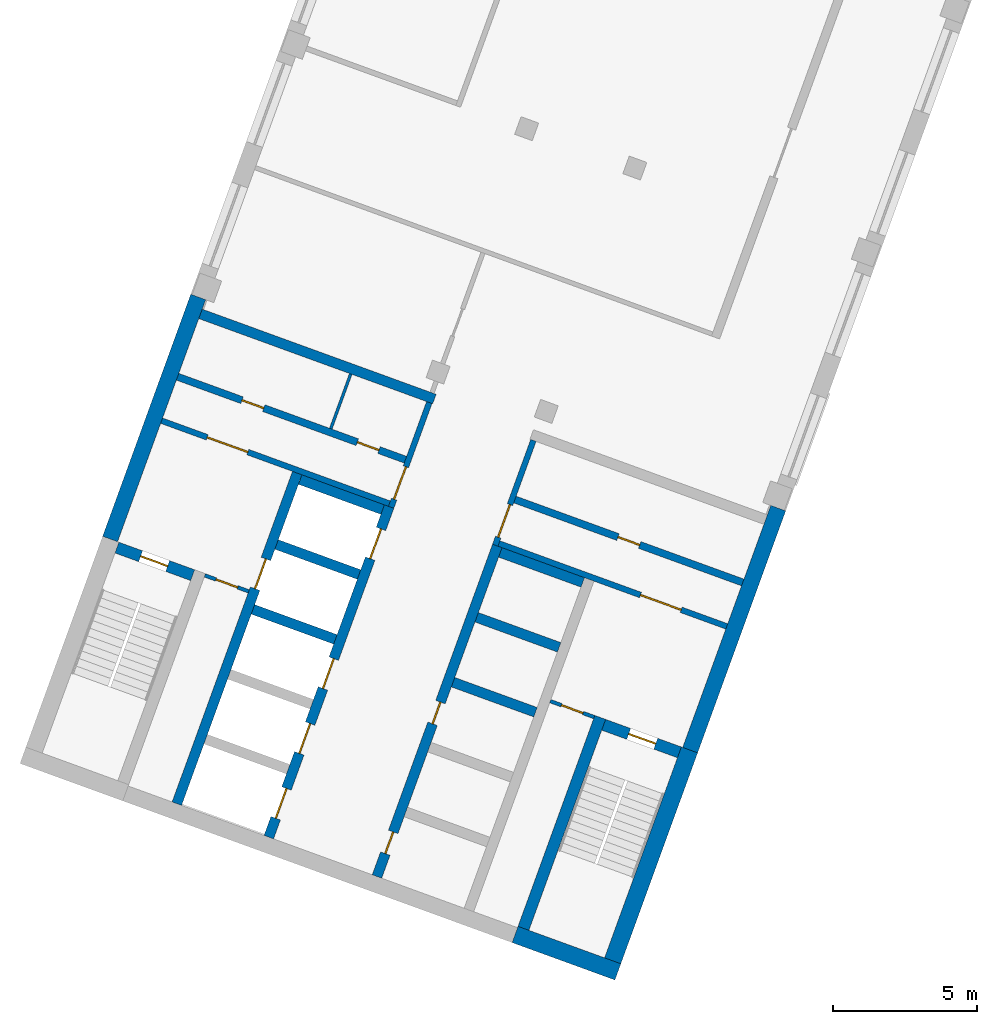
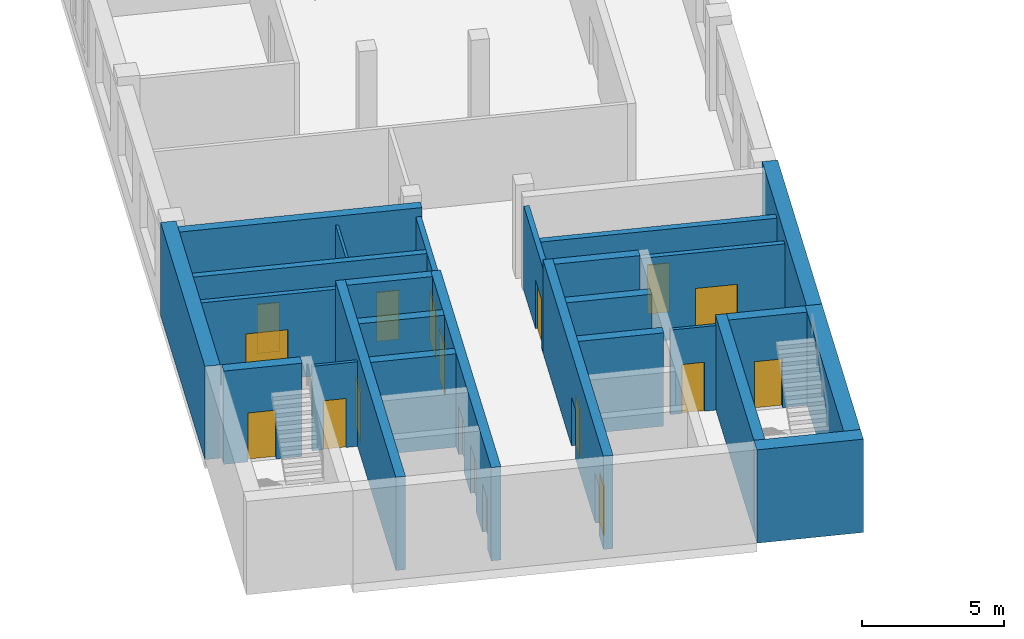
# One storey, part 2 of 8: 26 walls, 18 doors, 18 openings.
"""IFC4 building model written with IfcOpenShell, lengths in metres."""

import ifcopenshell
import ifcopenshell.guid

model = None  # the IFC model being written
_history = None  # IfcOwnerHistory: only IFC2X3 demands one
_inside = {}  # id of a spatial element -> (the spatial element, [elements in it])
_under = {}  # id of a project, library or spatial element -> (it, [spatial elements below it])
_declared = {}  # id of a project -> (the project, [libraries it declares])
_typed = {}  # id of a type object -> (the type object, [elements of that type])
_made_of = {}  # id of a material, layer set ... -> (it, [elements and type objects made of it])


def new_model(schema):
    """Start an empty IFC model of exactly this schema.

    Asked for "IFC4X3", IfcOpenShell would pick the latest addendum, in which some entities
    have other attributes; the version numbers below select the first issue.
    IFC2X3 requires an IfcOwnerHistory on every rooted entity: one is made here for all.
    """
    global model, _history
    if schema == "IFC4X3":
        model = ifcopenshell.file(schema_version=(4, 3, 0, 0))
    else:
        model = ifcopenshell.file(schema=schema)
    _inside.clear()
    _under.clear()
    _declared.clear()
    _typed.clear()
    _made_of.clear()
    _history = None
    if model.schema == "IFC2X3":
        org = make("IfcOrganization", Name="unknown")
        user = make(
            "IfcPersonAndOrganization",
            ThePerson=make("IfcPerson", FamilyName="unknown"),
            TheOrganization=org,
        )
        app = make(
            "IfcApplication",
            ApplicationDeveloper=org,
            Version="unknown",
            ApplicationFullName="unknown",
            ApplicationIdentifier="unknown",
        )
        _history = make(
            "IfcOwnerHistory",
            OwningUser=user,
            OwningApplication=app,
            ChangeAction="ADDED",
            CreationDate=0,
        )
    return model


def make(cls, **values):
    """One entity of the class cls with the attributes given. An attribute that is None is left unset."""
    return model.create_entity(
        cls, **{name: value for name, value in values.items() if value is not None}
    )


def rooted(cls, **values):
    """An entity with a GlobalId (a new one), such as an element, a storey or a relation."""
    return make(cls, GlobalId=ifcopenshell.guid.new(), OwnerHistory=_history, **values)


def si_unit(unit_type, name, prefix=None):
    """IfcSIUnit, for example si_unit("LENGTHUNIT", "METRE", prefix="MILLI")."""
    return make("IfcSIUnit", UnitType=unit_type, Prefix=prefix, Name=name)


def assignment(units):
    """IfcUnitAssignment: the units of a project."""
    return None if units is None else make("IfcUnitAssignment", Units=units)


def point(xyz):
    """IfcCartesianPoint."""
    return None if xyz is None else make("IfcCartesianPoint", Coordinates=xyz)


def direction(xyz):
    """IfcDirection."""
    return None if xyz is None else make("IfcDirection", DirectionRatios=xyz)


def frame(location, z_axis=None, x_axis=None):
    """IfcAxis2Placement3D, a coordinate frame: its origin and axes. An axis left out is left unset."""
    return make(
        "IfcAxis2Placement3D",
        Location=point(location),
        Axis=direction(z_axis),
        RefDirection=direction(x_axis),
    )


def frame_2d(location, x_axis=None):
    """IfcAxis2Placement2D, a coordinate frame in the plane: its origin and x axis."""
    return make(
        "IfcAxis2Placement2D", Location=point(location), RefDirection=direction(x_axis)
    )


def origin():
    """The frame at (0, 0, 0) with its axes left unset."""
    return frame((0.0, 0.0, 0.0))


def place(relative_to, where):
    """IfcLocalPlacement: puts the frame where relative to a parent placement (None: the world)."""
    return make(
        "IfcLocalPlacement", PlacementRelTo=relative_to, RelativePlacement=where
    )


def context(
    kind, dimensions, precision=None, world=None, true_north=None, identifier=None
):
    """IfcGeometricRepresentationContext, for example the 3D "Model" context."""
    return make(
        "IfcGeometricRepresentationContext",
        ContextIdentifier=identifier,
        ContextType=kind,
        CoordinateSpaceDimension=dimensions,
        Precision=precision,
        WorldCoordinateSystem=world,
        TrueNorth=true_north,
    )


def subcontext(parent, identifier, kind, view, scale=None):
    """IfcGeometricRepresentationSubContext, for example "Body" below "Model"."""
    return make(
        "IfcGeometricRepresentationSubContext",
        ContextIdentifier=identifier,
        ContextType=kind,
        ParentContext=parent,
        TargetScale=scale,
        TargetView=view,
    )


def project(units=None, contexts=None):
    """IfcProject with its units and contexts."""
    return rooted(
        "IfcProject",
        Name="project",
        RepresentationContexts=contexts,
        UnitsInContext=assignment(units),
    )


def spatial(cls, under=None, at=None, **own):
    """A site, building, storey or space (cls), placed at a placement, below another one or the project."""
    s = rooted(cls, ObjectPlacement=at, **own)
    if under is not None:
        _under.setdefault(under.id(), (under, []))[1].append(s)
    return s


def profile(cls, at=None, kind="AREA", **sizes):
    """A parametric profile (cls). Its sizes go by their IFC names, for example OverallWidth=200.0."""
    return make(cls, ProfileType=kind, Position=at, **sizes)


def rectangle(**sizes):
    """IfcRectangleProfileDef."""
    return profile("IfcRectangleProfileDef", **sizes)


def extrude(swept, where, along, depth):
    """IfcExtrudedAreaSolid: the profile swept, set in the frame where, extruded along a direction by depth."""
    return make(
        "IfcExtrudedAreaSolid",
        SweptArea=swept,
        Position=where,
        ExtrudedDirection=direction(along),
        Depth=depth,
    )


def shape(context_of_items, identifier, shape_type, items):
    """IfcShapeRepresentation: the items that make up one representation, for example the "Body"."""
    return make(
        "IfcShapeRepresentation",
        ContextOfItems=context_of_items,
        RepresentationIdentifier=identifier,
        RepresentationType=shape_type,
        Items=items,
    )


def material(Name=None, Category=None):
    """IfcMaterial."""
    return make("IfcMaterial", Name=Name, Category=Category)


def layer(
    of_material, thickness, ventilated=None, Name=None, Category=None, Priority=None
):
    """IfcMaterialLayer: one layer of a wall or slab, of a material (None: an air gap)."""
    return make(
        "IfcMaterialLayer",
        Material=of_material,
        LayerThickness=thickness,
        IsVentilated=ventilated,
        Name=Name,
        Category=Category,
        Priority=Priority,
    )


def layer_set(layers, Name=None):
    """IfcMaterialLayerSet."""
    return make("IfcMaterialLayerSet", MaterialLayers=layers, LayerSetName=Name)


def made_of(thing, what):
    """Note that an element or type object is made of a material, layer set ...; save() writes the relation."""
    if what is not None:
        _made_of.setdefault(what.id(), (what, []))[1].append(thing)
    return thing


def type_object(cls, material=None, **own):
    """A type object (cls), such as IfcWallType, which elements share."""
    return made_of(rooted(cls, **own), material)


def element(
    cls,
    number,
    at=None,
    inside=None,
    cuts=None,
    type_object=None,
    material=None,
    context=None,
    identifier="Body",
    shape_type=None,
    held_by="IfcProductDefinitionShape",
    body=None,
    shapes=None,
    **own,
):
    """One element of the class cls, such as IfcWall. Its Tag is "e" and its number.

    at: its placement. inside: the storey or other place that contains it. cuts: it is an
    opening in that element (IfcRelVoidsElement). A single representation is given by context,
    identifier, shape_type and body (its items); several are given by shapes. held_by: the class
    of the entity that holds the representations. save() writes the other relations.
    """
    e = rooted(cls, Tag="e%d" % number, ObjectPlacement=at, **own)
    if body is not None:
        shapes = [shape(context, identifier, shape_type, body)]
    if shapes is not None:
        e.Representation = make(held_by, Representations=shapes)
    if inside is not None:
        _inside.setdefault(inside.id(), (inside, []))[1].append(e)
    if cuts is not None:
        rooted(
            "IfcRelVoidsElement", RelatingBuildingElement=cuts, RelatedOpeningElement=e
        )
    if type_object is not None:
        _typed.setdefault(type_object.id(), (type_object, []))[1].append(e)
    return made_of(e, material)


def fill(opening, filler):
    """IfcRelFillsElement: the door or window that sits in an opening."""
    return rooted(
        "IfcRelFillsElement",
        RelatingOpeningElement=opening,
        RelatedBuildingElement=filler,
    )


def aggregate(whole, parts):
    """IfcRelAggregates: a whole, such as a stair, and the parts it consists of."""
    return rooted("IfcRelAggregates", RelatingObject=whole, RelatedObjects=parts)


def save(model, path):
    """Write the relations noted so far, then the file.

    IfcRelAggregates (storeys below a building ...), IfcRelContainedInSpatialStructure (elements
    in a storey), IfcRelDefinesByType, IfcRelAssociatesMaterial and IfcRelDeclares: one each for
    every whole, place, type object, material and project.
    """
    for whole, parts in _under.values():
        aggregate(whole, parts)
    for where, things in _inside.values():
        rooted(
            "IfcRelContainedInSpatialStructure",
            RelatedElements=things,
            RelatingStructure=where,
        )
    for kind, things in _typed.values():
        rooted("IfcRelDefinesByType", RelatedObjects=things, RelatingType=kind)
    for what, things in _made_of.values():
        rooted("IfcRelAssociatesMaterial", RelatedObjects=things, RelatingMaterial=what)
    for by, libraries in _declared.values():
        rooted("IfcRelDeclares", RelatingContext=by, RelatedDefinitions=libraries)
    model.write(path)


model = new_model("IFC4")

# Units and contexts
model_context = context("Model", 3, precision=1e-05, world=origin(), true_north=direction((0.0, 1.0)))
body_context = subcontext(model_context, "Body", "Model", "MODEL_VIEW")
ifc_project = project(units=[si_unit("LENGTHUNIT", "METRE"), si_unit("AREAUNIT", "SQUARE_METRE"), si_unit("VOLUMEUNIT", "CUBIC_METRE"), si_unit("PLANEANGLEUNIT", "RADIAN"), si_unit("MASSUNIT", "GRAM", prefix="KILO")], contexts=[model_context])

# Site, building, storey
site_placement = place(None, origin())
site = spatial("IfcSite", under=ifc_project, at=site_placement, CompositionType="ELEMENT")
building_placement = place(site_placement, origin())
building = spatial("IfcBuilding", under=site, at=building_placement, Name="Skarvind Civic Tower", CompositionType="ELEMENT")
storey_placement = place(building_placement, frame((0.0, 0.0, 134.5)))
storey = spatial("IfcBuildingStorey", under=building, at=storey_placement, Name="L31", CompositionType="ELEMENT", Elevation=134.5)

# Wall, opening, door
ifc_material_1 = material(Name="Fire-rated masonry partition", Category="masonry")
ifc_layer_1 = layer(ifc_material_1, 0.199951171875)
ifc_layer_set_1 = layer_set([ifc_layer_1], Name="Core enclosure wall 200")
wall_type_1 = type_object("IfcWallType", Name="Core enclosure wall 200", PredefinedType="PARTITIONING", material=ifc_layer_set_1)
wall_1_placement = place(storey_placement, frame((31.45947265625, 93.67822265625, 0.0), z_axis=(0.0, 0.0, 1.0), x_axis=(0.341985870128, 0.939705094502, 0.0)))
wall_1 = element("IfcWall", 1, at=wall_1_placement, inside=storey, type_object=wall_type_1, Name="Core wall C2", PredefinedType="PARTITIONING", context=body_context, shape_type="SweptSolid", body=[
    extrude(rectangle(XDim=3.875, YDim=0.199951171875, at=frame_2d((1.9375, 0.0))), origin(), (0.0, 0.0, 1.0), 3.625),
])
opening_1_placement = place(wall_1_placement, frame((0.300048828125, 0.0, 0.0)))
opening_1 = element("IfcOpeningElement", 2, at=opening_1_placement, cuts=wall_1, Name="Opening D-L31-C2-07", PredefinedType="OPENING", context=body_context, shape_type="SweptSolid", body=[
    extrude(rectangle(XDim=1.199951171875, YDim=2.10009765625, at=frame_2d((0.60009765625, 1.050048828125))), frame((0.0, 0.10986328125, 0.0), z_axis=(0.0, -1.0, 0.0), x_axis=(1.0, 0.0, 0.0)), (0.0, 0.0, 1.0), 0.219970703125),
])
ifc_material_2 = material(Name="Fire-rated steel door", Category="steel")
door_type_1 = type_object("IfcDoorType", Name="Core lobby door 1200", OperationType="NOTDEFINED", PredefinedType="DOOR", material=ifc_material_2)
door_1_placement = place(opening_1_placement, origin())
door_1 = element("IfcDoor", 3, at=door_1_placement, inside=storey, type_object=door_type_1, Name="Fire door", OperationType="DOUBLE_DOOR_SINGLE_SWING", OverallHeight=2.10009765625, OverallWidth=1.199951171875, PredefinedType="DOOR", context=body_context, shape_type="SweptSolid", body=[
    extrude(rectangle(XDim=1.199951171875, YDim=2.10009765625, at=frame_2d((0.60009765625, 1.050048828125))), frame((0.0, 0.02490234375, 0.0), z_axis=(0.0, -1.0, 0.0), x_axis=(1.0, 0.0, 0.0)), (0.0, 0.0, 1.0), 0.050048828125),
])
fill(opening_1, door_1)

wall_2_placement = place(storey_placement, frame((23.482666015625, 96.68798828125, 0.0), z_axis=(0.0, 0.0, 1.0), x_axis=(0.939691007314, -0.342024576271, 0.0)))
wall_2 = element("IfcWall", 4, at=wall_2_placement, inside=storey, type_object=wall_type_1, Name="Core wall C2", PredefinedType="PARTITIONING", context=body_context, shape_type="SweptSolid", body=[
    extrude(rectangle(XDim=8.425048828125, YDim=0.199951171875, at=frame_2d((4.21240234375, 0.0))), origin(), (0.0, 0.0, 1.0), 3.625),
])
opening_2_placement = place(wall_2_placement, frame((1.6875, 0.0, 0.0)))
opening_2 = element("IfcOpeningElement", 5, at=opening_2_placement, cuts=wall_2, Name="Opening D-L31-C2-08", PredefinedType="OPENING", context=body_context, shape_type="SweptSolid", body=[
    extrude(rectangle(XDim=1.5, YDim=2.10009765625, at=frame_2d((0.75, 1.050048828125))), frame((0.0, 0.10986328125, 0.0), z_axis=(0.0, -1.0, 0.0), x_axis=(1.0, 0.0, 0.0)), (0.0, 0.0, 1.0), 0.219970703125),
])
door_type_2 = type_object("IfcDoorType", Name="Fire door 1500", OperationType="NOTDEFINED", PredefinedType="DOOR", material=ifc_material_2)
door_2_placement = place(opening_2_placement, origin())
door_2 = element("IfcDoor", 6, at=door_2_placement, inside=storey, type_object=door_type_2, Name="Fire door", OperationType="DOUBLE_DOOR_SINGLE_SWING", OverallHeight=2.10009765625, OverallWidth=1.5, PredefinedType="DOOR", context=body_context, shape_type="SweptSolid", body=[
    extrude(rectangle(XDim=1.5, YDim=2.10009765625, at=frame_2d((0.75, 1.050048828125))), frame((0.0, 0.02490234375, 0.0), z_axis=(0.0, -1.0, 0.0), x_axis=(1.0, 0.0, 0.0)), (0.0, 0.0, 1.0), 0.050048828125),
])
fill(opening_2, door_2)

wall_3_placement = place(storey_placement, frame((36.402587890625, 96.0029296875, 0.0), z_axis=(0.0, 0.0, 1.0), x_axis=(-0.342041503764, -0.939684845947, 0.0)))
wall_3 = element("IfcWall", 7, at=wall_3_placement, inside=storey, type_object=wall_type_1, Name="Core wall C2", PredefinedType="PARTITIONING", context=body_context, shape_type="SweptSolid", body=[
    extrude(rectangle(XDim=3.875, YDim=0.199951171875, at=frame_2d((1.9375, 0.0))), origin(), (0.0, 0.0, 1.0), 3.625),
])
opening_3_placement = place(wall_3_placement, frame((2.375, 0.0, 0.0)))
opening_3 = element("IfcOpeningElement", 8, at=opening_3_placement, cuts=wall_3, Name="Opening D-L31-C2-13", PredefinedType="OPENING", context=body_context, shape_type="SweptSolid", body=[
    extrude(rectangle(XDim=1.199951171875, YDim=2.10009765625, at=frame_2d((0.60009765625, 1.050048828125))), frame((0.0, 0.10986328125, 0.0), z_axis=(0.0, -1.0, 0.0), x_axis=(1.0, 0.0, 0.0)), (0.0, 0.0, 1.0), 0.219970703125),
])
door_3_placement = place(opening_3_placement, origin())
door_3 = element("IfcDoor", 9, at=door_3_placement, inside=storey, type_object=door_type_1, Name="Fire door", OperationType="DOUBLE_DOOR_SINGLE_SWING", OverallHeight=2.10009765625, OverallWidth=1.199951171875, PredefinedType="DOOR", context=body_context, shape_type="SweptSolid", body=[
    extrude(rectangle(XDim=1.199951171875, YDim=2.10009765625, at=frame_2d((0.60009765625, 1.050048828125))), frame((0.0, 0.02490234375, 0.0), z_axis=(0.0, -1.0, 0.0), x_axis=(1.0, 0.0, 0.0)), (0.0, 0.0, 1.0), 0.050048828125),
])
fill(opening_3, door_3)

wall_4_placement = place(storey_placement, frame((35.205322265625, 92.42138671875, 0.0), z_axis=(0.0, 0.0, 1.0), x_axis=(0.939691007314, -0.342024576271, 0.0)))
wall_4 = element("IfcWall", 10, at=wall_4_placement, inside=storey, type_object=wall_type_1, Name="Core wall C2", PredefinedType="PARTITIONING", context=body_context, shape_type="SweptSolid", body=[
    extrude(rectangle(XDim=8.425048828125, YDim=0.199951171875, at=frame_2d((4.21240234375, 0.0))), origin(), (0.0, 0.0, 1.0), 3.625),
])
opening_4_placement = place(wall_4_placement, frame((5.237548828125, 0.0, 0.0)))
opening_4 = element("IfcOpeningElement", 11, at=opening_4_placement, cuts=wall_4, Name="Opening D-L31-C2-14", PredefinedType="OPENING", context=body_context, shape_type="SweptSolid", body=[
    extrude(rectangle(XDim=1.5, YDim=2.10009765625, at=frame_2d((0.75, 1.050048828125))), frame((0.0, 0.10986328125, 0.0), z_axis=(0.0, -1.0, 0.0), x_axis=(1.0, 0.0, 0.0)), (0.0, 0.0, 1.0), 0.219970703125),
])
door_4_placement = place(opening_4_placement, origin())
door_4 = element("IfcDoor", 12, at=door_4_placement, inside=storey, type_object=door_type_2, Name="Fire door", OperationType="DOUBLE_DOOR_SINGLE_SWING", OverallHeight=2.10009765625, OverallWidth=1.5, PredefinedType="DOOR", context=body_context, shape_type="SweptSolid", body=[
    extrude(rectangle(XDim=1.5, YDim=2.10009765625, at=frame_2d((0.75, 1.050048828125))), frame((0.0, 0.02490234375, 0.0), z_axis=(0.0, -1.0, 0.0), x_axis=(1.0, 0.0, 0.0)), (0.0, 0.0, 1.0), 0.050048828125),
])
fill(opening_4, door_4)

# Wall
ifc_material_3 = material(Name="Fire-rated plasterboard partition")
ifc_layer_2 = layer(ifc_material_3, 0.10009765625)
ifc_layer_set_2 = layer_set([ifc_layer_2], Name="Core partition wall 100")
wall_type_2 = type_object("IfcWallType", Name="Core partition wall 100", PredefinedType="PARTITIONING", material=ifc_layer_set_2)
wall_5_placement = place(storey_placement, frame((29.3623046875, 96.410400390625, 0.0), z_axis=(0.0, 0.0, 1.0), x_axis=(0.342043138314, 0.939684250976, 0.0)))
element("IfcWall", 13, at=wall_5_placement, inside=storey, type_object=wall_type_2, Name="Core wall C2", PredefinedType="PARTITIONING", context=body_context, shape_type="SweptSolid", body=[
    extrude(rectangle(XDim=2.02490234375, YDim=0.10009765625, at=frame_2d((1.012451171875, 0.0))), origin(), (0.0, 0.0, 1.0), 3.625),
])

# Wall, openings, doors
ifc_material_4 = material(Name="Concrete C60", Category="concrete")
ifc_layer_3 = layer(ifc_material_4, 0.35009765625)
ifc_layer_set_3 = layer_set([ifc_layer_3], Name="Core wall 350 C60")
wall_type_3 = type_object("IfcWallType", Name="Core wall 350 C60", PredefinedType="SHEAR", material=ifc_layer_set_3)
wall_6_placement = place(storey_placement, frame((30.966552734375, 80.84814453125, 0.0), z_axis=(0.0, 0.0, 1.0), x_axis=(0.34201563943, 0.939694260058, 0.0)))
wall_6 = element("IfcWall", 14, at=wall_6_placement, inside=storey, type_object=wall_type_3, Name="Core wall C2 south lift row front L31", PredefinedType="SHEAR", context=body_context, shape_type="SweptSolid", body=[
    extrude(rectangle(XDim=12.22509765625, YDim=0.35009765625, at=frame_2d((6.112548828125, 0.0))), origin(), (0.0, 0.0, 1.0), 4.0),
])
opening_5_placement = place(wall_6_placement, frame((0.85009765625, 0.0, 0.0)))
opening_5 = element("IfcOpeningElement", 15, at=opening_5_placement, cuts=wall_6, Name="Opening D-L31-C2-05", PredefinedType="OPENING", context=body_context, shape_type="SweptSolid", body=[
    extrude(rectangle(XDim=0.800048828125, YDim=2.10009765625, at=frame_2d((0.39990234375, 1.050048828125))), frame((0.0, 0.18505859375, 0.0), z_axis=(0.0, -1.0, 0.0), x_axis=(1.0, 0.0, 0.0)), (0.0, 0.0, 1.0), 0.3701171875),
])
opening_6_placement = place(wall_6_placement, frame((5.64990234375, 0.0, 0.0)))
opening_6 = element("IfcOpeningElement", 16, at=opening_6_placement, cuts=wall_6, Name="Opening D-L31-C2-06", PredefinedType="OPENING", context=body_context, shape_type="SweptSolid", body=[
    extrude(rectangle(XDim=0.800048828125, YDim=2.10009765625, at=frame_2d((0.39990234375, 1.050048828125))), frame((0.0, 0.18505859375, 0.0), z_axis=(0.0, -1.0, 0.0), x_axis=(1.0, 0.0, 0.0)), (0.0, 0.0, 1.0), 0.3701171875),
])
door_type_3 = type_object("IfcDoorType", Name="Core riser door 800", OperationType="NOTDEFINED", PredefinedType="DOOR", material=ifc_material_2)
door_5_placement = place(opening_5_placement, origin())
door_5 = element("IfcDoor", 17, at=door_5_placement, inside=storey, type_object=door_type_3, Name="Riser door", OperationType="SINGLE_SWING_LEFT", OverallHeight=2.10009765625, OverallWidth=0.800048828125, PredefinedType="DOOR", context=body_context, shape_type="SweptSolid", body=[
    extrude(rectangle(XDim=0.800048828125, YDim=2.10009765625, at=frame_2d((0.39990234375, 1.050048828125))), frame((0.0, 0.02490234375, 0.0), z_axis=(0.0, -1.0, 0.0), x_axis=(1.0, 0.0, 0.0)), (0.0, 0.0, 1.0), 0.050048828125),
])
fill(opening_5, door_5)
door_6_placement = place(opening_6_placement, origin())
door_6 = element("IfcDoor", 18, at=door_6_placement, inside=storey, type_object=door_type_3, Name="Riser door", OperationType="SINGLE_SWING_RIGHT", OverallHeight=2.10009765625, OverallWidth=0.800048828125, PredefinedType="DOOR", context=body_context, shape_type="SweptSolid", body=[
    extrude(rectangle(XDim=0.800048828125, YDim=2.10009765625, at=frame_2d((0.39990234375, 1.050048828125))), frame((0.0, 0.02490234375, 0.0), z_axis=(0.0, -1.0, 0.0), x_axis=(1.0, 0.0, 0.0)), (0.0, 0.0, 1.0), 0.050048828125),
])
fill(opening_6, door_6)

# Walls
for number, where, z_axis, x_axis, name in (
    (19, (36.4765625, 86.557861328125, 0.0), (0.0, 0.0, 1.0), (-0.939683528043, 0.3420451244, 0.0), "Core wall C2 south lift row division 3 L31"),
    (20, (37.297607421875, 88.813232421875, 0.0), (0.0, 0.0, 1.0), (-0.939692892192, 0.342019397644, 0.0), "Core wall C2 south lift row division 4 L31"),
    (21, (38.118408203125, 91.068359375, 0.0), (0.0, 0.0, 1.0), (-0.939692892192, 0.342019397644, 0.0), "Core wall C2 south lift row division 5 L31"),
):
    element("IfcWall", number, at=place(storey_placement, frame(where, z_axis=z_axis, x_axis=x_axis)), inside=storey, type_object=wall_type_3, Name=name, PredefinedType="SHEAR", context=body_context, shape_type="SweptSolid", body=[
        extrude(rectangle(XDim=3.050048828125, YDim=0.35009765625, at=frame_2d((1.52490234375, 0.0))), origin(), (0.0, 0.0, 1.0), 4.0),
    ])

# Wall, openings, doors
wall_7_placement = place(storey_placement, frame((27.207763671875, 82.21630859375, 0.0), z_axis=(0.0, 0.0, 1.0), x_axis=(0.34201563943, 0.939694260058, 0.0)))
wall_7 = element("IfcWall", 22, at=wall_7_placement, inside=storey, type_object=wall_type_3, Name="Core wall C2 north lift row front L31", PredefinedType="SHEAR", context=body_context, shape_type="SweptSolid", body=[
    extrude(rectangle(XDim=12.22509765625, YDim=0.35009765625, at=frame_2d((6.112548828125, 0.0))), origin(), (0.0, 0.0, 1.0), 4.0),
])
opening_7_placement = place(wall_7_placement, frame((0.699951171875, 0.0, 0.0)))
opening_7 = element("IfcOpeningElement", 23, at=opening_7_placement, cuts=wall_7, Name="Opening LD33201", PredefinedType="OPENING", context=body_context, shape_type="SweptSolid", body=[
    extrude(rectangle(XDim=1.10009765625, YDim=2.10009765625, at=frame_2d((0.550048828125, 1.050048828125))), frame((0.0, 0.18505859375, 0.0), z_axis=(0.0, -1.0, 0.0), x_axis=(1.0, 0.0, 0.0)), (0.0, 0.0, 1.0), 0.3701171875),
])
opening_8_placement = place(wall_7_placement, frame((3.10009765625, 0.0, 0.0)))
opening_8 = element("IfcOpeningElement", 24, at=opening_8_placement, cuts=wall_7, Name="Opening LD33202", PredefinedType="OPENING", context=body_context, shape_type="SweptSolid", body=[
    extrude(rectangle(XDim=1.10009765625, YDim=2.10009765625, at=frame_2d((0.550048828125, 1.050048828125))), frame((0.0, 0.18505859375, 0.0), z_axis=(0.0, -1.0, 0.0), x_axis=(1.0, 0.0, 0.0)), (0.0, 0.0, 1.0), 0.3701171875),
])
opening_9_placement = place(wall_7_placement, frame((5.5, 0.0, 0.0)))
opening_9 = element("IfcOpeningElement", 25, at=opening_9_placement, cuts=wall_7, Name="Opening LD33203", PredefinedType="OPENING", context=body_context, shape_type="SweptSolid", body=[
    extrude(rectangle(XDim=1.10009765625, YDim=2.10009765625, at=frame_2d((0.550048828125, 1.050048828125))), frame((0.0, 0.18505859375, 0.0), z_axis=(0.0, -1.0, 0.0), x_axis=(1.0, 0.0, 0.0)), (0.0, 0.0, 1.0), 0.3701171875),
])
opening_10_placement = place(wall_7_placement, frame((10.300048828125, 0.0, 0.0)))
opening_10 = element("IfcOpeningElement", 26, at=opening_10_placement, cuts=wall_7, Name="Opening LD33205", PredefinedType="OPENING", context=body_context, shape_type="SweptSolid", body=[
    extrude(rectangle(XDim=1.10009765625, YDim=2.10009765625, at=frame_2d((0.550048828125, 1.050048828125))), frame((0.0, 0.18505859375, 0.0), z_axis=(0.0, -1.0, 0.0), x_axis=(1.0, 0.0, 0.0)), (0.0, 0.0, 1.0), 0.3701171875),
])
ifc_material_5 = material(Name="Stainless steel landing door", Category="steel")
door_type_4 = type_object("IfcDoorType", Name="Lift landing door 1100", OperationType="DOUBLE_DOOR_SLIDING", PredefinedType="DOOR", material=ifc_material_5)
door_7_placement = place(opening_7_placement, origin())
door_7 = element("IfcDoor", 27, at=door_7_placement, inside=storey, type_object=door_type_4, Name="Lift landing door", OperationType="DOUBLE_DOOR_SLIDING", OverallHeight=2.10009765625, OverallWidth=1.10009765625, PredefinedType="DOOR", context=body_context, shape_type="SweptSolid", body=[
    extrude(rectangle(XDim=1.10009765625, YDim=2.10009765625, at=frame_2d((0.550048828125, 1.050048828125))), frame((0.0, 0.02490234375, 0.0), z_axis=(0.0, -1.0, 0.0), x_axis=(1.0, 0.0, 0.0)), (0.0, 0.0, 1.0), 0.050048828125),
])
fill(opening_7, door_7)
door_8_placement = place(opening_8_placement, origin())
door_8 = element("IfcDoor", 28, at=door_8_placement, inside=storey, type_object=door_type_4, Name="Lift landing door", OperationType="DOUBLE_DOOR_SLIDING", OverallHeight=2.10009765625, OverallWidth=1.10009765625, PredefinedType="DOOR", context=body_context, shape_type="SweptSolid", body=[
    extrude(rectangle(XDim=1.10009765625, YDim=2.10009765625, at=frame_2d((0.550048828125, 1.050048828125))), frame((0.0, 0.02490234375, 0.0), z_axis=(0.0, -1.0, 0.0), x_axis=(1.0, 0.0, 0.0)), (0.0, 0.0, 1.0), 0.050048828125),
])
fill(opening_8, door_8)
door_9_placement = place(opening_9_placement, origin())
door_9 = element("IfcDoor", 29, at=door_9_placement, inside=storey, type_object=door_type_4, Name="Lift landing door", OperationType="DOUBLE_DOOR_SLIDING", OverallHeight=2.10009765625, OverallWidth=1.10009765625, PredefinedType="DOOR", context=body_context, shape_type="SweptSolid", body=[
    extrude(rectangle(XDim=1.10009765625, YDim=2.10009765625, at=frame_2d((0.550048828125, 1.050048828125))), frame((0.0, 0.02490234375, 0.0), z_axis=(0.0, -1.0, 0.0), x_axis=(1.0, 0.0, 0.0)), (0.0, 0.0, 1.0), 0.050048828125),
])
fill(opening_9, door_9)
door_10_placement = place(opening_10_placement, origin())
door_10 = element("IfcDoor", 30, at=door_10_placement, inside=storey, type_object=door_type_4, Name="Lift landing door", OperationType="DOUBLE_DOOR_SLIDING", OverallHeight=2.10009765625, OverallWidth=1.10009765625, PredefinedType="DOOR", context=body_context, shape_type="SweptSolid", body=[
    extrude(rectangle(XDim=1.10009765625, YDim=2.10009765625, at=frame_2d((0.550048828125, 1.050048828125))), frame((0.0, 0.02490234375, 0.0), z_axis=(0.0, -1.0, 0.0), x_axis=(1.0, 0.0, 0.0)), (0.0, 0.0, 1.0), 0.050048828125),
])
fill(opening_10, door_10)

# Wall, opening, door
wall_8_placement = place(storey_placement, frame((24.0126953125, 83.379150390625, 0.0), z_axis=(0.0, 0.0, 1.0), x_axis=(0.34201563943, 0.939694260058, 0.0)))
wall_8 = element("IfcWall", 31, at=wall_8_placement, inside=storey, type_object=wall_type_3, Name="Core wall C2 north lift row back L31", PredefinedType="SHEAR", context=body_context, shape_type="SweptSolid", body=[
    extrude(rectangle(XDim=12.22509765625, YDim=0.35009765625, at=frame_2d((6.112548828125, 0.0))), origin(), (0.0, 0.0, 1.0), 4.0),
])
opening_11_placement = place(wall_8_placement, frame((7.949951171875, 0.0, 0.0)))
opening_11 = element("IfcOpeningElement", 32, at=opening_11_placement, cuts=wall_8, Name="Opening LD33204", PredefinedType="OPENING", context=body_context, shape_type="SweptSolid", body=[
    extrude(rectangle(XDim=1.10009765625, YDim=2.10009765625, at=frame_2d((0.550048828125, 1.050048828125))), frame((0.0, 0.18505859375, 0.0), z_axis=(0.0, -1.0, 0.0), x_axis=(1.0, 0.0, 0.0)), (0.0, 0.0, 1.0), 0.3701171875),
])
door_11_placement = place(opening_11_placement, origin())
door_11 = element("IfcDoor", 33, at=door_11_placement, inside=storey, type_object=door_type_4, Name="Lift landing door", OperationType="DOUBLE_DOOR_SLIDING", OverallHeight=2.10009765625, OverallWidth=1.10009765625, PredefinedType="DOOR", context=body_context, shape_type="SweptSolid", body=[
    extrude(rectangle(XDim=1.10009765625, YDim=2.10009765625, at=frame_2d((0.550048828125, 1.050048828125))), frame((0.0, 0.02490234375, 0.0), z_axis=(0.0, -1.0, 0.0), x_axis=(1.0, 0.0, 0.0)), (0.0, 0.0, 1.0), 0.050048828125),
])
fill(opening_11, door_11)

# Walls
wall_9_placement = place(storey_placement, frame((29.52294921875, 89.0888671875, 0.0), z_axis=(0.0, 0.0, 1.0), x_axis=(-0.939692892192, 0.342019397644, 0.0)))
element("IfcWall", 34, at=wall_9_placement, inside=storey, type_object=wall_type_3, Name="Core wall C2 north lift row division 3 L31", PredefinedType="SHEAR", context=body_context, shape_type="SweptSolid", body=[
    extrude(rectangle(XDim=3.050048828125, YDim=0.35009765625, at=frame_2d((1.52490234375, 0.0))), origin(), (0.0, 0.0, 1.0), 4.0),
])
wall_10_placement = place(storey_placement, frame((30.34375, 91.34423828125, 0.0), z_axis=(0.0, 0.0, 1.0), x_axis=(-0.939709254651, 0.341974438698, 0.0)))
element("IfcWall", 35, at=wall_10_placement, inside=storey, type_object=wall_type_3, Name="Core wall C2 north lift row division 4 L31", PredefinedType="SHEAR", context=body_context, shape_type="SweptSolid", body=[
    extrude(rectangle(XDim=3.0498046875, YDim=0.35009765625, at=frame_2d((1.52490234375, 0.0))), origin(), (0.0, 0.0, 1.0), 4.0),
])
wall_11_placement = place(storey_placement, frame((31.16455078125, 93.599365234375, 0.0), z_axis=(0.0, 0.0, 1.0), x_axis=(-0.939683528043, 0.3420451244, 0.0)))
element("IfcWall", 36, at=wall_11_placement, inside=storey, type_object=wall_type_3, Name="Core wall C2 north lift row division 5 L31", PredefinedType="SHEAR", context=body_context, shape_type="SweptSolid", body=[
    extrude(rectangle(XDim=3.050048828125, YDim=0.35009765625, at=frame_2d((1.52490234375, 0.0))), origin(), (0.0, 0.0, 1.0), 4.0),
])
wall_12_placement = place(storey_placement, frame((32.9619140625, 97.44140625, 0.0), z_axis=(0.0, 0.0, 1.0), x_axis=(-0.939689545667, 0.342028592028, 0.0)))
element("IfcWall", 37, at=wall_12_placement, inside=storey, type_object=wall_type_3, Name="Core wall C2 north inner face L31", PredefinedType="SHEAR", context=body_context, shape_type="SweptSolid", body=[
    extrude(rectangle(XDim=8.64990234375, YDim=0.35009765625, at=frame_2d((4.324951171875, 0.0))), origin(), (0.0, 0.0, 1.0), 4.0),
])
ifc_layer_4 = layer(ifc_material_4, 0.39990234375)
ifc_layer_set_4 = layer_set([ifc_layer_4], Name="Core wall 400 C60")
wall_type_4 = type_object("IfcWallType", Name="Core wall 400 C60", PredefinedType="SHEAR", material=ifc_layer_set_4)
wall_13_placement = place(storey_placement, frame((36.057861328125, 79.04833984375, 0.0), z_axis=(0.0, 0.0, 1.0), x_axis=(0.342016982193, 0.939693771338, 0.0)))
element("IfcWall", 38, at=wall_13_placement, inside=storey, type_object=wall_type_4, Name="Core wall C2 south stair inner L31", PredefinedType="SHEAR", context=body_context, shape_type="SweptSolid", body=[
    extrude(rectangle(XDim=7.800048828125, YDim=0.39990234375, at=frame_2d((3.89990234375, 0.0))), origin(), (0.0, 0.0, 1.0), 4.0),
])

# Wall, opening, door
wall_14_placement = place(storey_placement, frame((41.476318359375, 85.163818359375, 0.0), z_axis=(0.0, 0.0, 1.0), x_axis=(-0.939678810556, 0.342058084236, 0.0)))
wall_14 = element("IfcWall", 39, at=wall_14_placement, inside=storey, type_object=wall_type_4, Name="Core wall C2 south stair end L31", PredefinedType="SHEAR", context=body_context, shape_type="SweptSolid", body=[
    extrude(rectangle(XDim=2.800048828125, YDim=0.39990234375, at=frame_2d((1.39990234375, 0.0))), origin(), (0.0, 0.0, 1.0), 4.0),
])
opening_12_placement = place(wall_14_placement, frame((0.875, 0.0, 0.0)))
opening_12 = element("IfcOpeningElement", 40, at=opening_12_placement, cuts=wall_14, Name="Opening D-L31-C2-15", PredefinedType="OPENING", context=body_context, shape_type="SweptSolid", body=[
    extrude(rectangle(XDim=1.0, YDim=2.10009765625, at=frame_2d((0.5, 1.050048828125))), frame((0.0, 0.2099609375, 0.0), z_axis=(0.0, -1.0, 0.0), x_axis=(1.0, 0.0, 0.0)), (0.0, 0.0, 1.0), 0.419921875),
])
door_type_5 = type_object("IfcDoorType", Name="Fire door 1000", OperationType="NOTDEFINED", PredefinedType="DOOR", material=ifc_material_2)
door_12_placement = place(opening_12_placement, origin())
door_12 = element("IfcDoor", 41, at=door_12_placement, inside=storey, type_object=door_type_5, Name="Fire door", OperationType="SINGLE_SWING_RIGHT", OverallHeight=2.10009765625, OverallWidth=1.0, PredefinedType="DOOR", context=body_context, shape_type="SweptSolid", body=[
    extrude(rectangle(XDim=1.0, YDim=2.10009765625, at=frame_2d((0.5, 1.050048828125))), frame((0.0, 0.02490234375, 0.0), z_axis=(0.0, -1.0, 0.0), x_axis=(1.0, 0.0, 0.0)), (0.0, 0.0, 1.0), 0.050048828125),
])
fill(opening_12, door_12)

wall_15_placement = place(storey_placement, frame((24.56201171875, 91.3203125, 0.0), z_axis=(0.0, 0.0, 1.0), x_axis=(-0.939717030584, 0.341953070509, 0.0)))
wall_15 = element("IfcWall", 42, at=wall_15_placement, inside=storey, type_object=wall_type_4, Name="Core wall C2 north stair end L31", PredefinedType="SHEAR", context=body_context, shape_type="SweptSolid", body=[
    extrude(rectangle(XDim=2.800048828125, YDim=0.39990234375, at=frame_2d((1.39990234375, 0.0))), origin(), (0.0, 0.0, 1.0), 4.0),
])
opening_13_placement = place(wall_15_placement, frame((0.925048828125, 0.0, 0.0)))
opening_13 = element("IfcOpeningElement", 43, at=opening_13_placement, cuts=wall_15, Name="Opening D-L31-C2-09", PredefinedType="OPENING", context=body_context, shape_type="SweptSolid", body=[
    extrude(rectangle(XDim=1.0, YDim=2.10009765625, at=frame_2d((0.5, 1.050048828125))), frame((0.0, 0.2099609375, 0.0), z_axis=(0.0, -1.0, 0.0), x_axis=(1.0, 0.0, 0.0)), (0.0, 0.0, 1.0), 0.419921875),
])
door_13_placement = place(opening_13_placement, origin())
door_13 = element("IfcDoor", 44, at=door_13_placement, inside=storey, type_object=door_type_5, Name="Fire door", OperationType="SINGLE_SWING_LEFT", OverallHeight=2.10009765625, OverallWidth=1.0, PredefinedType="DOOR", context=body_context, shape_type="SweptSolid", body=[
    extrude(rectangle(XDim=1.0, YDim=2.10009765625, at=frame_2d((0.5, 1.050048828125))), frame((0.0, 0.02490234375, 0.0), z_axis=(0.0, -1.0, 0.0), x_axis=(1.0, 0.0, 0.0)), (0.0, 0.0, 1.0), 0.050048828125),
])
fill(opening_13, door_13)

# Walls
ifc_layer_5 = layer(ifc_material_4, 0.550048828125)
ifc_layer_set_5 = layer_set([ifc_layer_5], Name="Core wall 550 C60")
wall_type_5 = type_object("IfcWallType", Name="Core wall 550 C60", PredefinedType="SHEAR", material=ifc_layer_set_5)
wall_16_placement = place(storey_placement, frame((41.85009765625, 85.24072265625, 0.0), z_axis=(0.0, 0.0, 1.0), x_axis=(0.34201902012, 0.939693029598, 0.0)))
element("IfcWall", 45, at=wall_16_placement, inside=storey, type_object=wall_type_5, Name="Core wall C2 south side L31", PredefinedType="SHEAR", context=body_context, shape_type="SweptSolid", body=[
    extrude(rectangle(XDim=8.949951171875, YDim=0.550048828125, at=frame_2d((4.47509765625, 0.0))), origin(), (0.0, 0.0, 1.0), 4.0),
])
wall_17_placement = place(storey_placement, frame((21.69384765625, 92.576904296875, 0.0), z_axis=(0.0, 0.0, 1.0), x_axis=(0.342010253184, 0.939696220444, 0.0)))
element("IfcWall", 46, at=wall_17_placement, inside=storey, type_object=wall_type_5, Name="Core wall C2 north side L31", PredefinedType="SHEAR", context=body_context, shape_type="SweptSolid", body=[
    extrude(rectangle(XDim=8.9501953125, YDim=0.550048828125, at=frame_2d((4.47509765625, 0.0))), origin(), (0.0, 0.0, 1.0), 4.0),
])
ifc_layer_6 = layer(ifc_material_4, 0.60009765625)
ifc_layer_set_6 = layer_set([ifc_layer_6], Name="Core wall 600 C60")
wall_type_6 = type_object("IfcWallType", Name="Core wall 600 C60", PredefinedType="SHEAR", material=ifc_layer_set_6)
wall_18_placement = place(storey_placement, frame((39.338134765625, 77.53515625, 0.0), z_axis=(0.0, 0.0, 1.0), x_axis=(-0.939701471648, 0.341995824804, 0.0)))
element("IfcWall", 47, at=wall_18_placement, inside=storey, type_object=wall_type_6, Name="Core wall C2 tip at the south stair L31", PredefinedType="SHEAR", context=body_context, shape_type="SweptSolid", body=[
    extrude(rectangle(XDim=3.800048828125, YDim=0.60009765625, at=frame_2d((1.89990234375, 0.0))), origin(), (0.0, 0.0, 1.0), 4.0),
])
wall_19_placement = place(storey_placement, frame((39.158935546875, 77.919677734375, 0.0), z_axis=(0.0, 0.0, 1.0), x_axis=(0.342016982193, 0.939693771338, 0.0)))
element("IfcWall", 48, at=wall_19_placement, inside=storey, type_object=wall_type_6, Name="Core wall C2 south side at the stair L31", PredefinedType="SHEAR", context=body_context, shape_type="SweptSolid", body=[
    extrude(rectangle(XDim=7.800048828125, YDim=0.60009765625, at=frame_2d((3.89990234375, 0.0))), origin(), (0.0, 0.0, 1.0), 4.0),
])

# Wall, opening, door
ifc_layer_7 = layer(ifc_material_1, 0.125)
ifc_layer_set_7 = layer_set([ifc_layer_7], Name="Riser wall 125")
wall_type_7 = type_object("IfcWallType", Name="Riser wall 125", PredefinedType="PARTITIONING", material=ifc_layer_set_7)
wall_20_placement = place(storey_placement, frame((24.98486328125, 91.3125, 0.0), z_axis=(0.0, 0.0, 1.0), x_axis=(0.939705651352, -0.341984340019, 0.0)))
wall_20 = element("IfcWall", 49, at=wall_20_placement, inside=storey, type_object=wall_type_7, Name="Core wall C2", PredefinedType="PARTITIONING", context=body_context, shape_type="SweptSolid", body=[
    extrude(rectangle(XDim=1.624755859375, YDim=0.125, at=frame_2d((0.8125, 0.0))), origin(), (0.0, 0.0, 1.0), 3.625),
])
opening_14_placement = place(wall_20_placement, frame((0.41259765625, 0.0, 0.0)))
opening_14 = element("IfcOpeningElement", 50, at=opening_14_placement, cuts=wall_20, Name="Opening D-L31-C2-10", PredefinedType="OPENING", context=body_context, shape_type="SweptSolid", body=[
    extrude(rectangle(XDim=0.800048828125, YDim=2.10009765625, at=frame_2d((0.39990234375, 1.050048828125))), frame((0.0, 0.072509765625, 0.0), z_axis=(0.0, -1.0, 0.0), x_axis=(1.0, 0.0, 0.0)), (0.0, 0.0, 1.0), 0.14501953125),
])
door_14_placement = place(opening_14_placement, origin())
door_14 = element("IfcDoor", 51, at=door_14_placement, inside=storey, type_object=door_type_3, Name="Riser door", OperationType="SINGLE_SWING_RIGHT", OverallHeight=2.10009765625, OverallWidth=0.800048828125, PredefinedType="DOOR", context=body_context, shape_type="SweptSolid", body=[
    extrude(rectangle(XDim=0.800048828125, YDim=2.10009765625, at=frame_2d((0.39990234375, 1.050048828125))), frame((0.0, 0.02490234375, 0.0), z_axis=(0.0, -1.0, 0.0), x_axis=(1.0, 0.0, 0.0)), (0.0, 0.0, 1.0), 0.050048828125),
])
fill(opening_14, door_14)

wall_21_placement = place(storey_placement, frame((36.989501953125, 86.943359375, 0.0), z_axis=(0.0, 0.0, 1.0), x_axis=(0.939657357267, -0.342117013511, 0.0)))
wall_21 = element("IfcWall", 52, at=wall_21_placement, inside=storey, type_object=wall_type_7, Name="Core wall C2", PredefinedType="PARTITIONING", context=body_context, shape_type="SweptSolid", body=[
    extrude(rectangle(XDim=1.625, YDim=0.125, at=frame_2d((0.8125, 0.0))), origin(), (0.0, 0.0, 1.0), 3.625),
])
opening_15_placement = place(wall_21_placement, frame((0.41259765625, 0.0, 0.0)))
opening_15 = element("IfcOpeningElement", 53, at=opening_15_placement, cuts=wall_21, Name="Opening D-L31-C2-16", PredefinedType="OPENING", context=body_context, shape_type="SweptSolid", body=[
    extrude(rectangle(XDim=0.800048828125, YDim=2.10009765625, at=frame_2d((0.39990234375, 1.050048828125))), frame((0.0, 0.072509765625, 0.0), z_axis=(0.0, -1.0, 0.0), x_axis=(1.0, 0.0, 0.0)), (0.0, 0.0, 1.0), 0.14501953125),
])
door_15_placement = place(opening_15_placement, origin())
door_15 = element("IfcDoor", 54, at=door_15_placement, inside=storey, type_object=door_type_3, Name="Riser door", OperationType="SINGLE_SWING_LEFT", OverallHeight=2.10009765625, OverallWidth=0.800048828125, PredefinedType="DOOR", context=body_context, shape_type="SweptSolid", body=[
    extrude(rectangle(XDim=0.800048828125, YDim=2.10009765625, at=frame_2d((0.39990234375, 1.050048828125))), frame((0.0, 0.02490234375, 0.0), z_axis=(0.0, -1.0, 0.0), x_axis=(1.0, 0.0, 0.0)), (0.0, 0.0, 1.0), 0.050048828125),
])
fill(opening_15, door_15)

# Wall, openings, doors
ifc_layer_8 = layer(ifc_material_1, 0.25)
ifc_layer_set_8 = layer_set([ifc_layer_8], Name="Service block wall 250")
wall_type_8 = type_object("IfcWallType", Name="Service block wall 250", PredefinedType="PARTITIONING", material=ifc_layer_set_8)
wall_22_placement = place(storey_placement, frame((24.03857421875, 98.215087890625, 0.0), z_axis=(0.0, 0.0, 1.0), x_axis=(0.939687617333, -0.342033889887, 0.0)))
wall_22 = element("IfcWall", 55, at=wall_22_placement, inside=storey, type_object=wall_type_8, Name="Core wall C2", PredefinedType="PARTITIONING", context=body_context, shape_type="SweptSolid", body=[
    extrude(rectangle(XDim=8.4248046875, YDim=0.25, at=frame_2d((4.21240234375, 0.0))), origin(), (0.0, 0.0, 1.0), 3.625),
])
opening_16_placement = place(wall_22_placement, frame((6.6474609375, 0.0, 0.0)))
opening_16 = element("IfcOpeningElement", 56, at=opening_16_placement, cuts=wall_22, Name="Opening D-L31-C2-11", PredefinedType="OPENING", context=body_context, shape_type="SweptSolid", body=[
    extrude(rectangle(XDim=0.800048828125, YDim=2.10009765625, at=frame_2d((0.39990234375, 1.050048828125))), frame((0.0, 0.135009765625, 0.0), z_axis=(0.0, -1.0, 0.0), x_axis=(1.0, 0.0, 0.0)), (0.0, 0.0, 1.0), 0.27001953125),
])
opening_17_placement = place(wall_22_placement, frame((2.385009765625, 0.0, 0.0)))
opening_17 = element("IfcOpeningElement", 57, at=opening_17_placement, cuts=wall_22, Name="Opening D-L31-C2-12", PredefinedType="OPENING", context=body_context, shape_type="SweptSolid", body=[
    extrude(rectangle(XDim=0.800048828125, YDim=2.10009765625, at=frame_2d((0.39990234375, 1.050048828125))), frame((0.0, 0.135009765625, 0.0), z_axis=(0.0, -1.0, 0.0), x_axis=(1.0, 0.0, 0.0)), (0.0, 0.0, 1.0), 0.27001953125),
])
door_16_placement = place(opening_16_placement, origin())
door_16 = element("IfcDoor", 58, at=door_16_placement, inside=storey, type_object=door_type_3, Name="Riser door", OperationType="SINGLE_SWING_LEFT", OverallHeight=2.10009765625, OverallWidth=0.800048828125, PredefinedType="DOOR", context=body_context, shape_type="SweptSolid", body=[
    extrude(rectangle(XDim=0.800048828125, YDim=2.10009765625, at=frame_2d((0.39990234375, 1.050048828125))), frame((0.0, 0.02490234375, 0.0), z_axis=(0.0, -1.0, 0.0), x_axis=(1.0, 0.0, 0.0)), (0.0, 0.0, 1.0), 0.050048828125),
])
fill(opening_16, door_16)
door_17_placement = place(opening_17_placement, origin())
door_17 = element("IfcDoor", 59, at=door_17_placement, inside=storey, type_object=door_type_3, Name="Riser door", OperationType="SINGLE_SWING_RIGHT", OverallHeight=2.10009765625, OverallWidth=0.800048828125, PredefinedType="DOOR", context=body_context, shape_type="SweptSolid", body=[
    extrude(rectangle(XDim=0.800048828125, YDim=2.10009765625, at=frame_2d((0.39990234375, 1.050048828125))), frame((0.0, 0.02490234375, 0.0), z_axis=(0.0, -1.0, 0.0), x_axis=(1.0, 0.0, 0.0)), (0.0, 0.0, 1.0), 0.050048828125),
])
fill(opening_17, door_17)

# Wall, opening, door
wall_23_placement = place(storey_placement, frame((35.76123046875, 93.9482421875, 0.0), z_axis=(0.0, 0.0, 1.0), x_axis=(0.93969693093, -0.342008301071, 0.0)))
wall_23 = element("IfcWall", 60, at=wall_23_placement, inside=storey, type_object=wall_type_8, Name="Core wall C2", PredefinedType="PARTITIONING", context=body_context, shape_type="SweptSolid", body=[
    extrude(rectangle(XDim=8.4248046875, YDim=0.25, at=frame_2d((4.21240234375, 0.0))), origin(), (0.0, 0.0, 1.0), 3.625),
])
opening_18_placement = place(wall_23_placement, frame((3.8125, 0.0, 0.0)))
opening_18 = element("IfcOpeningElement", 61, at=opening_18_placement, cuts=wall_23, Name="Opening D-L31-C2-17", PredefinedType="OPENING", context=body_context, shape_type="SweptSolid", body=[
    extrude(rectangle(XDim=0.800048828125, YDim=2.10009765625, at=frame_2d((0.39990234375, 1.050048828125))), frame((0.0, 0.135009765625, 0.0), z_axis=(0.0, -1.0, 0.0), x_axis=(1.0, 0.0, 0.0)), (0.0, 0.0, 1.0), 0.27001953125),
])
door_18_placement = place(opening_18_placement, origin())
door_18 = element("IfcDoor", 62, at=door_18_placement, inside=storey, type_object=door_type_3, Name="Riser door", OperationType="SINGLE_SWING_RIGHT", OverallHeight=2.10009765625, OverallWidth=0.800048828125, PredefinedType="DOOR", context=body_context, shape_type="SweptSolid", body=[
    extrude(rectangle(XDim=0.800048828125, YDim=2.10009765625, at=frame_2d((0.39990234375, 1.050048828125))), frame((0.0, 0.02490234375, 0.0), z_axis=(0.0, -1.0, 0.0), x_axis=(1.0, 0.0, 0.0)), (0.0, 0.0, 1.0), 0.050048828125),
])
fill(opening_18, door_18)

save(model, "model.ifc")
